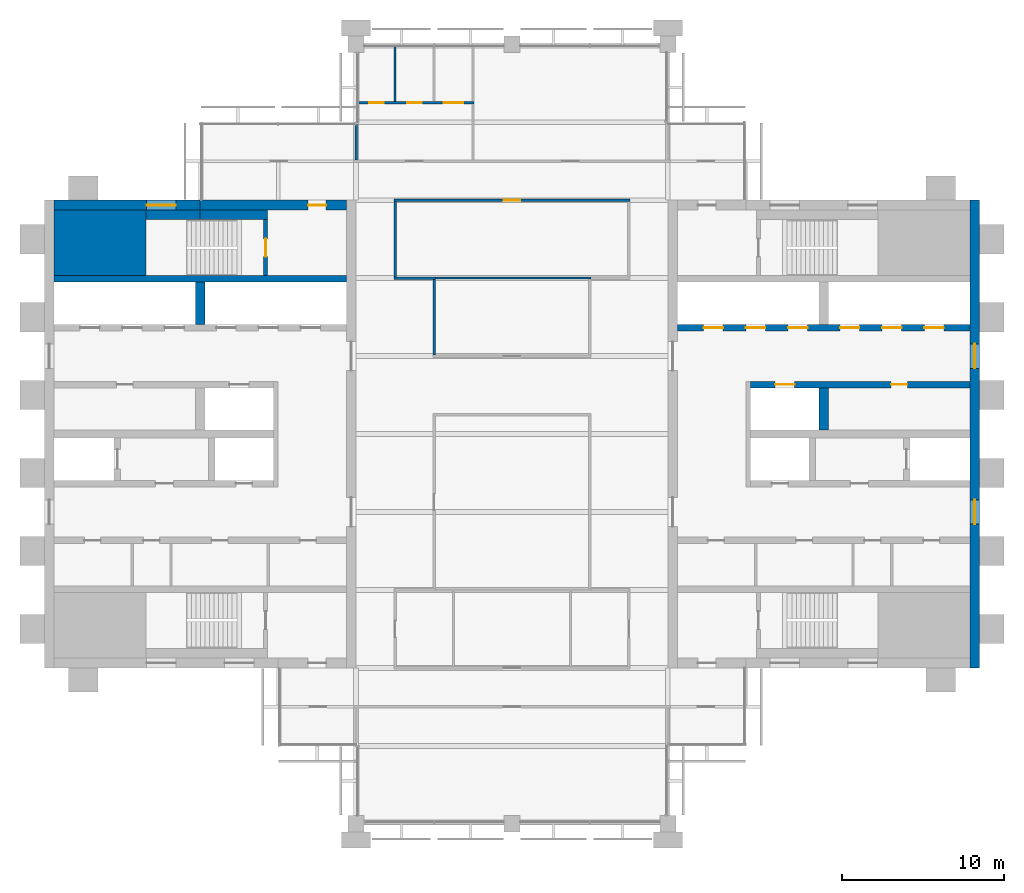
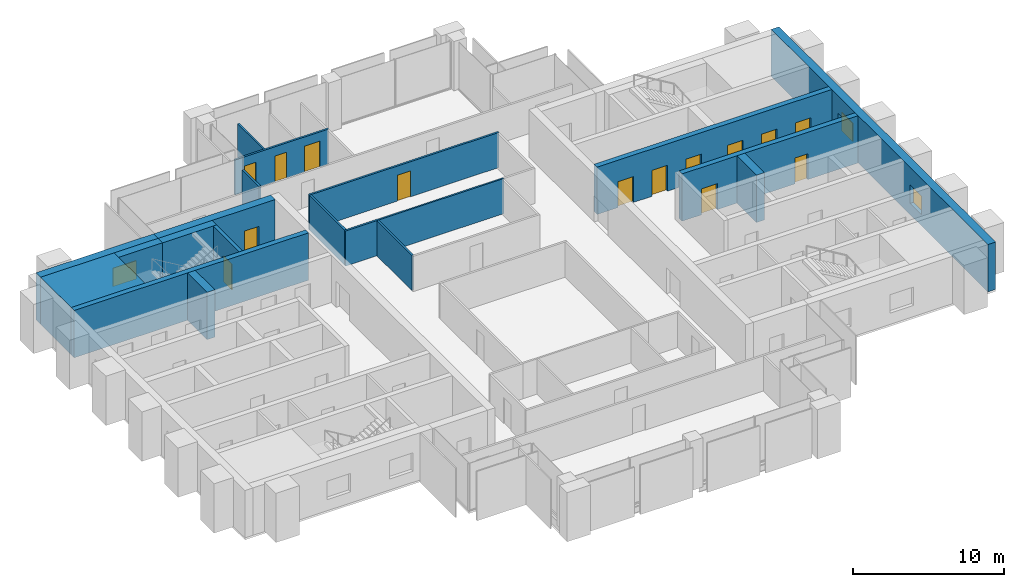
# One storey, part 10 of 12: 20 walls, 14 doors, 3 windows, 17 openings.
"""IFC4 building model written with IfcOpenShell, lengths in metres."""

from ifc_helpers import new_model, si_unit, direction, frame, frame_2d, origin, place, context, subcontext, project, spatial, rectangle, extrude, material, layer, layer_set, type_object, element, fill, save


model = new_model("IFC4")

# Units and contexts
model_context = context("Model", 3, precision=1e-05, world=origin(), true_north=direction((0.0, 1.0)))
body_context = subcontext(model_context, "Body", "Model", "MODEL_VIEW")
ifc_project = project(units=[si_unit("LENGTHUNIT", "METRE"), si_unit("AREAUNIT", "SQUARE_METRE"), si_unit("VOLUMEUNIT", "CUBIC_METRE"), si_unit("PLANEANGLEUNIT", "RADIAN"), si_unit("MASSUNIT", "GRAM", prefix="KILO")], contexts=[model_context])

# Site, building, storey
site_placement = place(None, origin())
site = spatial("IfcSite", under=ifc_project, at=site_placement, CompositionType="ELEMENT")
building_placement = place(site_placement, origin())
building = spatial("IfcBuilding", under=site, at=building_placement, Name="Baori Bourse Tower", CompositionType="ELEMENT")
storey_placement = place(building_placement, frame((0.0, 0.0, 286.300048828125)))
storey = spatial("IfcBuildingStorey", under=building, at=storey_placement, Name="L62", CompositionType="ELEMENT", Elevation=286.300048828125)

# Wall
ifc_material_1 = material(Name="Concrete f'c 40 MPa", Category="concrete")
wall_type_1 = type_object("IfcWallType", Name="Core corner block f'c 40", PredefinedType="SHEAR", material=ifc_material_1)
wall_1_placement = place(storey_placement, frame((0.60009765625, 35.77490234375, 0.0), z_axis=(0.0, 0.0, 1.0), x_axis=(1.0, 0.0, 0.0)))
element("IfcWall", 1, at=wall_1_placement, inside=storey, type_object=wall_type_1, Name="Core wall W23", PredefinedType="SHEAR", context=body_context, shape_type="SweptSolid", body=[
    extrude(rectangle(XDim=5.64990234375, YDim=4.050048828125, at=frame_2d((2.824951171875, 0.0))), origin(), (0.0, 0.0, 1.0), 3.83984375),
])

# Wall, opening, window
ifc_material_2 = material(Name="Concrete f'c 40 MPa", Category="concrete")
ifc_layer_1 = layer(ifc_material_2, 0.60009765625)
ifc_layer_set_1 = layer_set([ifc_layer_1], Name="Core wall 600 f'c 40")
wall_type_2 = type_object("IfcWallType", Name="Core wall 600 f'c 40", PredefinedType="SHEAR", material=ifc_layer_set_1)
wall_2_placement = place(storey_placement, frame((0.60009765625, 38.10009765625, 0.0), z_axis=(0.0, 0.0, 1.0), x_axis=(1.0, 0.0, 0.0)))
wall_2 = element("IfcWall", 2, at=wall_2_placement, inside=storey, type_object=wall_type_2, Name="Core wall W27", PredefinedType="SHEAR", context=body_context, shape_type="SweptSolid", body=[
    extrude(rectangle(XDim=9.0, YDim=0.60009765625, at=frame_2d((4.5, 0.0))), origin(), (0.0, 0.0, 1.0), 3.83984375),
])
opening_1_placement = place(wall_2_placement, frame((5.699951171875, 0.0, 0.89990234375)))
opening_1 = element("IfcOpeningElement", 3, at=opening_1_placement, cuts=wall_2, Name="Opening L62-KW105", PredefinedType="OPENING", context=body_context, shape_type="SweptSolid", body=[
    extrude(rectangle(XDim=1.800048828125, YDim=1.5, at=frame_2d((0.89990234375, 0.75))), frame((0.0, 0.31005859375, 0.0), z_axis=(0.0, -1.0, 0.0), x_axis=(1.0, 0.0, 0.0)), (0.0, 0.0, 1.0), 0.6201171875),
])
ifc_material_3 = material(Name="Pale anodised aluminium", Category="aluminium")
window_type_1 = type_object("IfcWindowType", Name="Stair window 1800 x 1500", PartitioningType="SINGLE_PANEL", PredefinedType="WINDOW", material=ifc_material_3)
window_1_placement = place(opening_1_placement, origin())
window_1 = element("IfcWindow", 4, at=window_1_placement, inside=storey, type_object=window_type_1, Name="Stair window W L62 5", OverallHeight=1.5, OverallWidth=1.800048828125, PartitioningType="SINGLE_PANEL", PredefinedType="WINDOW", context=body_context, shape_type="SweptSolid", body=[
    extrude(rectangle(XDim=1.800048828125, YDim=1.5, at=frame_2d((0.89990234375, 0.75))), frame((0.0, 0.030029296875, 0.0), z_axis=(0.0, -1.0, 0.0), x_axis=(1.0, 0.0, 0.0)), (0.0, 0.0, 1.0), 0.06005859375),
])
fill(opening_1, window_1)

# Wall, opening, door
wall_3_placement = place(storey_placement, frame((9.60009765625, 38.10009765625, 0.0), z_axis=(0.0, 0.0, 1.0), x_axis=(1.0, 0.0, 0.0)))
wall_3 = element("IfcWall", 5, at=wall_3_placement, inside=storey, type_object=wall_type_2, Name="Core wall W28", PredefinedType="SHEAR", context=body_context, shape_type="SweptSolid", body=[
    extrude(rectangle(XDim=9.0, YDim=0.60009765625, at=frame_2d((4.5, 0.0))), origin(), (0.0, 0.0, 1.0), 3.83984375),
])
opening_2_placement = place(wall_3_placement, frame((6.64990234375, 0.0, 0.0)))
opening_2 = element("IfcOpeningElement", 6, at=opening_2_placement, cuts=wall_3, Name="Opening L62-D104", PredefinedType="OPENING", context=body_context, shape_type="SweptSolid", body=[
    extrude(rectangle(XDim=1.10009765625, YDim=2.10009765625, at=frame_2d((0.550048828125, 1.050048828125))), frame((0.0, 0.31005859375, 0.0), z_axis=(0.0, -1.0, 0.0), x_axis=(1.0, 0.0, 0.0)), (0.0, 0.0, 1.0), 0.6201171875),
])
ifc_material_4 = material(Name="Painted steel door", Category="steel")
door_type_1 = type_object("IfcDoorType", Name="Stair door 1100", OperationType="SINGLE_SWING_LEFT", PredefinedType="DOOR", material=ifc_material_4)
door_1_placement = place(opening_2_placement, origin())
door_1 = element("IfcDoor", 7, at=door_1_placement, inside=storey, type_object=door_type_1, Name="Stair vestibule door B W L62", OperationType="SINGLE_SWING_LEFT", OverallHeight=2.10009765625, OverallWidth=1.10009765625, PredefinedType="DOOR", context=body_context, shape_type="SweptSolid", body=[
    extrude(rectangle(XDim=1.10009765625, YDim=2.10009765625, at=frame_2d((0.550048828125, 1.050048828125))), frame((0.0, 0.02490234375, 0.0), z_axis=(0.0, -1.0, 0.0), x_axis=(1.0, 0.0, 0.0)), (0.0, 0.0, 1.0), 0.050048828125),
])
fill(opening_2, door_1)

# Wall, openings, windows
wall_4_placement = place(storey_placement, frame((57.300048828125, 38.39990234375, 0.0), z_axis=(0.0, 0.0, 1.0), x_axis=(0.0, -1.0, 0.0)))
wall_4 = element("IfcWall", 8, at=wall_4_placement, inside=storey, type_object=wall_type_2, Name="Core wall E01", PredefinedType="SHEAR", context=body_context, shape_type="SweptSolid", body=[
    extrude(rectangle(XDim=28.7998046875, YDim=0.60009765625, at=frame_2d((14.39990234375, 0.0))), origin(), (0.0, 0.0, 1.0), 3.83984375),
])
opening_3_placement = place(wall_4_placement, frame((18.449951171875, 0.0, 0.89990234375)))
opening_3 = element("IfcOpeningElement", 9, at=opening_3_placement, cuts=wall_4, Name="Opening L62-KW201", PredefinedType="OPENING", context=body_context, shape_type="SweptSolid", body=[
    extrude(rectangle(XDim=1.5, YDim=1.5, at=frame_2d((0.75, 0.75))), frame((0.0, 0.31005859375, 0.0), z_axis=(0.0, -1.0, 0.0), x_axis=(1.0, 0.0, 0.0)), (0.0, 0.0, 1.0), 0.6201171875),
])
opening_4_placement = place(wall_4_placement, frame((8.85009765625, 0.0, 0.89990234375)))
opening_4 = element("IfcOpeningElement", 10, at=opening_4_placement, cuts=wall_4, Name="Opening L62-KW202", PredefinedType="OPENING", context=body_context, shape_type="SweptSolid", body=[
    extrude(rectangle(XDim=1.5, YDim=1.5, at=frame_2d((0.75, 0.75))), frame((0.0, 0.31005859375, 0.0), z_axis=(0.0, -1.0, 0.0), x_axis=(1.0, 0.0, 0.0)), (0.0, 0.0, 1.0), 0.6201171875),
])
ifc_material_5 = material(Name="Pale anodised aluminium", Category="aluminium")
window_type_2 = type_object("IfcWindowType", Name="Lobby window 1500 x 1500", PartitioningType="SINGLE_PANEL", PredefinedType="WINDOW", material=ifc_material_5)
window_2_placement = place(opening_3_placement, origin())
window_2 = element("IfcWindow", 11, at=window_2_placement, inside=storey, type_object=window_type_2, Name="Outer wall window E L62 1", OverallHeight=1.5, OverallWidth=1.5, PartitioningType="SINGLE_PANEL", PredefinedType="WINDOW", context=body_context, shape_type="SweptSolid", body=[
    extrude(rectangle(XDim=1.5, YDim=1.5, at=frame_2d((0.75, 0.75))), frame((0.0, 0.030029296875, 0.0), z_axis=(0.0, -1.0, 0.0), x_axis=(1.0, 0.0, 0.0)), (0.0, 0.0, 1.0), 0.06005859375),
])
fill(opening_3, window_2)
window_3_placement = place(opening_4_placement, origin())
window_3 = element("IfcWindow", 12, at=window_3_placement, inside=storey, type_object=window_type_2, Name="Outer wall window E L62 2", OverallHeight=1.5, OverallWidth=1.5, PartitioningType="SINGLE_PANEL", PredefinedType="WINDOW", context=body_context, shape_type="SweptSolid", body=[
    extrude(rectangle(XDim=1.5, YDim=1.5, at=frame_2d((0.75, 0.75))), frame((0.0, 0.030029296875, 0.0), z_axis=(0.0, -1.0, 0.0), x_axis=(1.0, 0.0, 0.0)), (0.0, 0.0, 1.0), 0.06005859375),
])
fill(opening_4, window_3)

# Wall
ifc_material_6 = material(Name="Gypsum board partition")
ifc_layer_2 = layer(ifc_material_6, 0.14990234375)
ifc_layer_set_2 = layer_set([ifc_layer_2], Name="Corridor partition 150")
wall_type_3 = type_object("IfcWallType", Name="Corridor partition 150", PredefinedType="PARTITIONING", material=ifc_layer_set_2)
wall_5_placement = place(storey_placement, frame((21.52490234375, 33.60009765625, 0.0), z_axis=(0.0, 0.0, 1.0), x_axis=(1.0, 0.0, 0.0)))
element("IfcWall", 13, at=wall_5_placement, inside=storey, type_object=wall_type_3, Name="Partition", PredefinedType="PARTITIONING", context=body_context, shape_type="SweptSolid", body=[
    extrude(rectangle(XDim=2.550048828125, YDim=0.14990234375, at=frame_2d((1.27490234375, 0.0))), origin(), (0.0, 0.0, 1.0), 2.849365234375),
])

# Wall, opening, door
wall_6_placement = place(storey_placement, frame((21.52490234375, 38.39990234375, 0.0), z_axis=(0.0, 0.0, 1.0), x_axis=(1.0, 0.0, 0.0)))
wall_6 = element("IfcWall", 14, at=wall_6_placement, inside=storey, type_object=wall_type_3, Name="Partition", PredefinedType="PARTITIONING", context=body_context, shape_type="SweptSolid", body=[
    extrude(rectangle(XDim=14.550048828125, YDim=0.14990234375, at=frame_2d((7.27490234375, 0.0))), origin(), (0.0, 0.0, 1.0), 2.849365234375),
])
opening_5_placement = place(wall_6_placement, frame((6.77490234375, 0.0, 0.0)))
opening_5 = element("IfcOpeningElement", 15, at=opening_5_placement, cuts=wall_6, Name="Opening L62-D06", PredefinedType="OPENING", context=body_context, shape_type="SweptSolid", body=[
    extrude(rectangle(XDim=1.0, YDim=2.10009765625, at=frame_2d((0.5, 1.050048828125))), frame((0.0, 0.0849609375, 0.0), z_axis=(0.0, -1.0, 0.0), x_axis=(1.0, 0.0, 0.0)), (0.0, 0.0, 1.0), 0.169921875),
])
ifc_material_7 = material(Name="Timber door leaf", Category="wood")
door_type_2 = type_object("IfcDoorType", Name="Door 1000 x 2100", OperationType="SINGLE_SWING_LEFT", PredefinedType="DOOR", material=ifc_material_7)
door_2_placement = place(opening_5_placement, origin())
door_2 = element("IfcDoor", 16, at=door_2_placement, inside=storey, type_object=door_type_2, Name="Door", OperationType="SINGLE_SWING_LEFT", OverallHeight=2.10009765625, OverallWidth=1.0, PredefinedType="DOOR", context=body_context, shape_type="SweptSolid", body=[
    extrude(rectangle(XDim=1.0, YDim=2.10009765625, at=frame_2d((0.5, 1.050048828125))), frame((0.0, 0.02490234375, 0.0), z_axis=(0.0, -1.0, 0.0), x_axis=(1.0, 0.0, 0.0)), (0.0, 0.0, 1.0), 0.050048828125),
])
fill(opening_5, door_2)

# Wall, openings, doors
wall_7_placement = place(storey_placement, frame((19.300048828125, 44.39990234375, 0.0), z_axis=(0.0, 0.0, 1.0), x_axis=(1.0, 0.0, 0.0)))
wall_7 = element("IfcWall", 17, at=wall_7_placement, inside=storey, type_object=wall_type_3, Name="Partition", PredefinedType="PARTITIONING", context=body_context, shape_type="SweptSolid", body=[
    extrude(rectangle(XDim=7.175048828125, YDim=0.14990234375, at=frame_2d((3.58740234375, 0.0))), origin(), (0.0, 0.0, 1.0), 2.849365234375),
])
opening_6_placement = place(wall_7_placement, frame((0.699951171875, 0.0, 0.0)))
opening_6 = element("IfcOpeningElement", 18, at=opening_6_placement, cuts=wall_7, Name="Opening L62-D11", PredefinedType="OPENING", context=body_context, shape_type="SweptSolid", body=[
    extrude(rectangle(XDim=0.89990234375, YDim=2.10009765625, at=frame_2d((0.449951171875, 1.050048828125))), frame((0.0, 0.0849609375, 0.0), z_axis=(0.0, -1.0, 0.0), x_axis=(1.0, 0.0, 0.0)), (0.0, 0.0, 1.0), 0.169921875),
])
opening_7_placement = place(wall_7_placement, frame((3.050048828125, 0.0, 0.0)))
opening_7 = element("IfcOpeningElement", 19, at=opening_7_placement, cuts=wall_7, Name="Opening L62-D12", PredefinedType="OPENING", context=body_context, shape_type="SweptSolid", body=[
    extrude(rectangle(XDim=0.89990234375, YDim=2.10009765625, at=frame_2d((0.449951171875, 1.050048828125))), frame((0.0, 0.0849609375, 0.0), z_axis=(0.0, -1.0, 0.0), x_axis=(1.0, 0.0, 0.0)), (0.0, 0.0, 1.0), 0.169921875),
])
opening_8_placement = place(wall_7_placement, frame((5.300048828125, 0.0, 0.0)))
opening_8 = element("IfcOpeningElement", 20, at=opening_8_placement, cuts=wall_7, Name="Opening L62-D13", PredefinedType="OPENING", context=body_context, shape_type="SweptSolid", body=[
    extrude(rectangle(XDim=1.199951171875, YDim=2.10009765625, at=frame_2d((0.60009765625, 1.050048828125))), frame((0.0, 0.0849609375, 0.0), z_axis=(0.0, -1.0, 0.0), x_axis=(1.0, 0.0, 0.0)), (0.0, 0.0, 1.0), 0.169921875),
])
ifc_material_8 = material(Name="Timber door leaf", Category="wood")
door_type_3 = type_object("IfcDoorType", Name="Door 1200 x 2100", OperationType="SINGLE_SWING_LEFT", PredefinedType="DOOR", material=ifc_material_8)
door_3_placement = place(opening_8_placement, origin())
door_3 = element("IfcDoor", 21, at=door_3_placement, inside=storey, type_object=door_type_3, Name="Door", OperationType="SINGLE_SWING_LEFT", OverallHeight=2.10009765625, OverallWidth=1.199951171875, PredefinedType="DOOR", context=body_context, shape_type="SweptSolid", body=[
    extrude(rectangle(XDim=1.199951171875, YDim=2.10009765625, at=frame_2d((0.60009765625, 1.050048828125))), frame((0.0, 0.02490234375, 0.0), z_axis=(0.0, -1.0, 0.0), x_axis=(1.0, 0.0, 0.0)), (0.0, 0.0, 1.0), 0.050048828125),
])
fill(opening_8, door_3)
ifc_material_9 = material(Name="Timber door leaf", Category="wood")
door_type_4 = type_object("IfcDoorType", Name="Door 900 x 2100", OperationType="SINGLE_SWING_LEFT", PredefinedType="DOOR", material=ifc_material_9)
door_4_placement = place(opening_6_placement, origin())
door_4 = element("IfcDoor", 22, at=door_4_placement, inside=storey, type_object=door_type_4, Name="Door", OperationType="SINGLE_SWING_RIGHT", OverallHeight=2.10009765625, OverallWidth=0.89990234375, PredefinedType="DOOR", context=body_context, shape_type="SweptSolid", body=[
    extrude(rectangle(XDim=0.89990234375, YDim=2.10009765625, at=frame_2d((0.449951171875, 1.050048828125))), frame((0.0, 0.02490234375, 0.0), z_axis=(0.0, -1.0, 0.0), x_axis=(1.0, 0.0, 0.0)), (0.0, 0.0, 1.0), 0.050048828125),
])
fill(opening_6, door_4)
door_5_placement = place(opening_7_placement, origin())
door_5 = element("IfcDoor", 23, at=door_5_placement, inside=storey, type_object=door_type_4, Name="Door", OperationType="SINGLE_SWING_RIGHT", OverallHeight=2.10009765625, OverallWidth=0.89990234375, PredefinedType="DOOR", context=body_context, shape_type="SweptSolid", body=[
    extrude(rectangle(XDim=0.89990234375, YDim=2.10009765625, at=frame_2d((0.449951171875, 1.050048828125))), frame((0.0, 0.02490234375, 0.0), z_axis=(0.0, -1.0, 0.0), x_axis=(1.0, 0.0, 0.0)), (0.0, 0.0, 1.0), 0.050048828125),
])
fill(opening_7, door_5)

# Walls
wall_8_placement = place(storey_placement, frame((19.199951171875, 40.875, 0.0), z_axis=(0.0, 0.0, 1.0), x_axis=(0.0, 1.0, 0.0)))
element("IfcWall", 24, at=wall_8_placement, inside=storey, type_object=wall_type_3, Name="Partition", PredefinedType="PARTITIONING", context=body_context, shape_type="SweptSolid", body=[
    extrude(rectangle(XDim=2.22509765625, YDim=0.14990234375, at=frame_2d((1.112548828125, 0.0))), origin(), (0.0, 0.0, 1.0), 2.849365234375),
])
for number, where, z_axis, x_axis, name in (
    (25, (21.60009765625, 33.675048828125, 0.0), (0.0, 0.0, 1.0), (0.0, 1.0, 0.0), "Partition"),
    (26, (24.0, 28.875, 0.0), (0.0, 0.0, 1.0), (0.0, 1.0, 0.0), "Partition"),
):
    element("IfcWall", number, at=place(storey_placement, frame(where, z_axis=z_axis, x_axis=x_axis)), inside=storey, type_object=wall_type_3, Name=name, PredefinedType="PARTITIONING", context=body_context, shape_type="SweptSolid", body=[
        extrude(rectangle(XDim=4.64990234375, YDim=0.14990234375, at=frame_2d((2.324951171875, 0.0))), origin(), (0.0, 0.0, 1.0), 2.849365234375),
    ])
ifc_material_10 = material(Name="Gypsum board partition")
ifc_layer_3 = layer(ifc_material_10, 0.125)
ifc_layer_set_3 = layer_set([ifc_layer_3], Name="Partition 125")
wall_type_4 = type_object("IfcWallType", Name="Partition 125", PredefinedType="PARTITIONING", material=ifc_layer_set_3)
wall_9_placement = place(storey_placement, frame((24.074951171875, 33.60009765625, 0.0), z_axis=(0.0, 0.0, 1.0), x_axis=(1.0, 0.0, 0.0)))
element("IfcWall", 27, at=wall_9_placement, inside=storey, type_object=wall_type_4, Name="Partition", PredefinedType="PARTITIONING", context=body_context, shape_type="SweptSolid", body=[
    extrude(rectangle(XDim=9.60009765625, YDim=0.125, at=frame_2d((4.800048828125, 0.0))), origin(), (0.0, 0.0, 1.0), 2.849365234375),
])
wall_10_placement = place(storey_placement, frame((21.60009765625, 44.47509765625, 0.0), z_axis=(0.0, 0.0, 1.0), x_axis=(0.0, 1.0, 0.0)))
element("IfcWall", 28, at=wall_10_placement, inside=storey, type_object=wall_type_4, Name="Partition", PredefinedType="PARTITIONING", context=body_context, shape_type="SweptSolid", body=[
    extrude(rectangle(XDim=3.4248046875, YDim=0.125, at=frame_2d((1.71240234375, 0.0))), origin(), (0.0, 0.0, 1.0), 2.849365234375),
])

# Wall, opening, door
ifc_material_11 = material(Name="Concrete f'c 40 MPa", Category="concrete")
ifc_layer_4 = layer(ifc_material_11, 0.25)
ifc_layer_set_4 = layer_set([ifc_layer_4], Name="Shaft wall 250 f'c 40")
wall_type_5 = type_object("IfcWallType", Name="Shaft wall 250 f'c 40", PredefinedType="SHEAR", material=ifc_layer_set_4)
wall_11_placement = place(storey_placement, frame((13.625, 33.75, 0.0), z_axis=(0.0, 0.0, 1.0), x_axis=(0.0, 1.0, 0.0)))
wall_11 = element("IfcWall", 29, at=wall_11_placement, inside=storey, type_object=wall_type_5, Name="Core wall W24", PredefinedType="SHEAR", context=body_context, shape_type="SweptSolid", body=[
    extrude(rectangle(XDim=3.449951171875, YDim=0.25, at=frame_2d((1.72509765625, 0.0))), origin(), (0.0, 0.0, 1.0), 3.83984375),
])
opening_9_placement = place(wall_11_placement, frame((1.175048828125, 0.0, 0.0)))
opening_9 = element("IfcOpeningElement", 30, at=opening_9_placement, cuts=wall_11, Name="Opening L62-D103", PredefinedType="OPENING", context=body_context, shape_type="SweptSolid", body=[
    extrude(rectangle(XDim=1.10009765625, YDim=2.10009765625, at=frame_2d((0.550048828125, 1.050048828125))), frame((0.0, 0.135009765625, 0.0), z_axis=(0.0, -1.0, 0.0), x_axis=(1.0, 0.0, 0.0)), (0.0, 0.0, 1.0), 0.27001953125),
])
door_6_placement = place(opening_9_placement, origin())
door_6 = element("IfcDoor", 31, at=door_6_placement, inside=storey, type_object=door_type_1, Name="Stair door B W L62", OperationType="SINGLE_SWING_LEFT", OverallHeight=2.10009765625, OverallWidth=1.10009765625, PredefinedType="DOOR", context=body_context, shape_type="SweptSolid", body=[
    extrude(rectangle(XDim=1.10009765625, YDim=2.10009765625, at=frame_2d((0.550048828125, 1.050048828125))), frame((0.0, 0.02490234375, 0.0), z_axis=(0.0, -1.0, 0.0), x_axis=(1.0, 0.0, 0.0)), (0.0, 0.0, 1.0), 0.050048828125),
])
fill(opening_9, door_6)

# Wall
ifc_material_12 = material(Name="Concrete f'c 40 MPa", Category="concrete")
ifc_layer_5 = layer(ifc_material_12, 0.39990234375)
ifc_layer_set_5 = layer_set([ifc_layer_5], Name="Shaft wall 400 f'c 40")
wall_type_6 = type_object("IfcWallType", Name="Shaft wall 400 f'c 40", PredefinedType="SHEAR", material=ifc_layer_set_5)
wall_12_placement = place(storey_placement, frame((0.60009765625, 33.550048828125, 0.0), z_axis=(0.0, 0.0, 1.0), x_axis=(1.0, 0.0, 0.0)))
element("IfcWall", 32, at=wall_12_placement, inside=storey, type_object=wall_type_6, Name="Core wall W22", PredefinedType="SHEAR", context=body_context, shape_type="SweptSolid", body=[
    extrude(rectangle(XDim=18.0, YDim=0.39990234375, at=frame_2d((9.0, 0.0))), origin(), (0.0, 0.0, 1.0), 3.83984375),
])

# Wall, openings, doors
wall_13_placement = place(storey_placement, frame((43.5, 27.050048828125, 0.0), z_axis=(0.0, 0.0, 1.0), x_axis=(1.0, 0.0, 0.0)))
wall_13 = element("IfcWall", 33, at=wall_13_placement, inside=storey, type_object=wall_type_6, Name="Core wall E19", PredefinedType="SHEAR", context=body_context, shape_type="SweptSolid", body=[
    extrude(rectangle(XDim=13.5, YDim=0.39990234375, at=frame_2d((6.75, 0.0))), origin(), (0.0, 0.0, 1.0), 3.83984375),
])
opening_10_placement = place(wall_13_placement, frame((8.64990234375, 0.0, 0.0)))
opening_10 = element("IfcOpeningElement", 34, at=opening_10_placement, cuts=wall_13, Name="Opening L62-D213", PredefinedType="OPENING", context=body_context, shape_type="SweptSolid", body=[
    extrude(rectangle(XDim=1.0, YDim=2.10009765625, at=frame_2d((0.5, 1.050048828125))), frame((0.0, 0.2099609375, 0.0), z_axis=(0.0, -1.0, 0.0), x_axis=(1.0, 0.0, 0.0)), (0.0, 0.0, 1.0), 0.419921875),
])
opening_11_placement = place(wall_13_placement, frame((1.5, 0.0, 0.0)))
opening_11 = element("IfcOpeningElement", 35, at=opening_11_placement, cuts=wall_13, Name="Opening L62-D220", PredefinedType="OPENING", context=body_context, shape_type="SweptSolid", body=[
    extrude(rectangle(XDim=1.199951171875, YDim=2.10009765625, at=frame_2d((0.60009765625, 1.050048828125))), frame((0.0, 0.2099609375, 0.0), z_axis=(0.0, -1.0, 0.0), x_axis=(1.0, 0.0, 0.0)), (0.0, 0.0, 1.0), 0.419921875),
])
ifc_material_13 = material(Name="Painted steel door", Category="steel")
door_type_5 = type_object("IfcDoorType", Name="Core door 1000", OperationType="SINGLE_SWING_LEFT", PredefinedType="DOOR", material=ifc_material_13)
door_7_placement = place(opening_10_placement, origin())
door_7 = element("IfcDoor", 36, at=door_7_placement, inside=storey, type_object=door_type_5, Name="Recycling Room door E L62", OperationType="SINGLE_SWING_LEFT", OverallHeight=2.10009765625, OverallWidth=1.0, PredefinedType="DOOR", context=body_context, shape_type="SweptSolid", body=[
    extrude(rectangle(XDim=1.0, YDim=2.10009765625, at=frame_2d((0.5, 1.050048828125))), frame((0.0, 0.02490234375, 0.0), z_axis=(0.0, -1.0, 0.0), x_axis=(1.0, 0.0, 0.0)), (0.0, 0.0, 1.0), 0.050048828125),
])
fill(opening_10, door_7)
ifc_material_14 = material(Name="Stainless steel door", Category="steel")
door_type_6 = type_object("IfcDoorType", Name="Lift landing door", OperationType="DOUBLE_DOOR_SLIDING", PredefinedType="DOOR", material=ifc_material_14)
door_8_placement = place(opening_11_placement, origin())
door_8 = element("IfcDoor", 37, at=door_8_placement, inside=storey, type_object=door_type_6, Name="Lift landing door SV1 E L62", OperationType="DOUBLE_DOOR_SLIDING", OverallHeight=2.10009765625, OverallWidth=1.199951171875, PredefinedType="DOOR", context=body_context, shape_type="SweptSolid", body=[
    extrude(rectangle(XDim=1.199951171875, YDim=2.10009765625, at=frame_2d((0.60009765625, 1.050048828125))), frame((0.0, 0.02490234375, 0.0), z_axis=(0.0, -1.0, 0.0), x_axis=(1.0, 0.0, 0.0)), (0.0, 0.0, 1.0), 0.050048828125),
])
fill(opening_11, door_8)

wall_14_placement = place(storey_placement, frame((39.0, 30.550048828125, 0.0), z_axis=(0.0, 0.0, 1.0), x_axis=(1.0, 0.0, 0.0)))
wall_14 = element("IfcWall", 38, at=wall_14_placement, inside=storey, type_object=wall_type_6, Name="Core wall E20", PredefinedType="SHEAR", context=body_context, shape_type="SweptSolid", body=[
    extrude(rectangle(XDim=18.0, YDim=0.39990234375, at=frame_2d((9.0, 0.0))), origin(), (0.0, 0.0, 1.0), 3.83984375),
])
opening_12_placement = place(wall_14_placement, frame((15.199951171875, 0.0, 0.0)))
opening_12 = element("IfcOpeningElement", 39, at=opening_12_placement, cuts=wall_14, Name="Opening L62-D214", PredefinedType="OPENING", context=body_context, shape_type="SweptSolid", body=[
    extrude(rectangle(XDim=1.199951171875, YDim=2.10009765625, at=frame_2d((0.60009765625, 1.050048828125))), frame((0.0, 0.2099609375, 0.0), z_axis=(0.0, -1.0, 0.0), x_axis=(1.0, 0.0, 0.0)), (0.0, 0.0, 1.0), 0.419921875),
])
opening_13_placement = place(wall_14_placement, frame((12.60009765625, 0.0, 0.0)))
opening_13 = element("IfcOpeningElement", 40, at=opening_13_placement, cuts=wall_14, Name="Opening L62-D215", PredefinedType="OPENING", context=body_context, shape_type="SweptSolid", body=[
    extrude(rectangle(XDim=1.199951171875, YDim=2.10009765625, at=frame_2d((0.60009765625, 1.050048828125))), frame((0.0, 0.2099609375, 0.0), z_axis=(0.0, -1.0, 0.0), x_axis=(1.0, 0.0, 0.0)), (0.0, 0.0, 1.0), 0.419921875),
])
opening_14_placement = place(wall_14_placement, frame((10.0, 0.0, 0.0)))
opening_14 = element("IfcOpeningElement", 41, at=opening_14_placement, cuts=wall_14, Name="Opening L62-D216", PredefinedType="OPENING", context=body_context, shape_type="SweptSolid", body=[
    extrude(rectangle(XDim=1.199951171875, YDim=2.10009765625, at=frame_2d((0.60009765625, 1.050048828125))), frame((0.0, 0.2099609375, 0.0), z_axis=(0.0, -1.0, 0.0), x_axis=(1.0, 0.0, 0.0)), (0.0, 0.0, 1.0), 0.419921875),
])
opening_15_placement = place(wall_14_placement, frame((6.800048828125, 0.0, 0.0)))
opening_15 = element("IfcOpeningElement", 42, at=opening_15_placement, cuts=wall_14, Name="Opening L62-D217", PredefinedType="OPENING", context=body_context, shape_type="SweptSolid", body=[
    extrude(rectangle(XDim=1.199951171875, YDim=2.10009765625, at=frame_2d((0.60009765625, 1.050048828125))), frame((0.0, 0.2099609375, 0.0), z_axis=(0.0, -1.0, 0.0), x_axis=(1.0, 0.0, 0.0)), (0.0, 0.0, 1.0), 0.419921875),
])
opening_16_placement = place(wall_14_placement, frame((4.199951171875, 0.0, 0.0)))
opening_16 = element("IfcOpeningElement", 43, at=opening_16_placement, cuts=wall_14, Name="Opening L62-D218", PredefinedType="OPENING", context=body_context, shape_type="SweptSolid", body=[
    extrude(rectangle(XDim=1.199951171875, YDim=2.10009765625, at=frame_2d((0.60009765625, 1.050048828125))), frame((0.0, 0.2099609375, 0.0), z_axis=(0.0, -1.0, 0.0), x_axis=(1.0, 0.0, 0.0)), (0.0, 0.0, 1.0), 0.419921875),
])
opening_17_placement = place(wall_14_placement, frame((1.60009765625, 0.0, 0.0)))
opening_17 = element("IfcOpeningElement", 44, at=opening_17_placement, cuts=wall_14, Name="Opening L62-D219", PredefinedType="OPENING", context=body_context, shape_type="SweptSolid", body=[
    extrude(rectangle(XDim=1.199951171875, YDim=2.10009765625, at=frame_2d((0.60009765625, 1.050048828125))), frame((0.0, 0.2099609375, 0.0), z_axis=(0.0, -1.0, 0.0), x_axis=(1.0, 0.0, 0.0)), (0.0, 0.0, 1.0), 0.419921875),
])
door_9_placement = place(opening_12_placement, origin())
door_9 = element("IfcDoor", 45, at=door_9_placement, inside=storey, type_object=door_type_6, Name="Lift landing door HR1 E L62", OperationType="DOUBLE_DOOR_SLIDING", OverallHeight=2.10009765625, OverallWidth=1.199951171875, PredefinedType="DOOR", context=body_context, shape_type="SweptSolid", body=[
    extrude(rectangle(XDim=1.199951171875, YDim=2.10009765625, at=frame_2d((0.60009765625, 1.050048828125))), frame((0.0, 0.02490234375, 0.0), z_axis=(0.0, -1.0, 0.0), x_axis=(1.0, 0.0, 0.0)), (0.0, 0.0, 1.0), 0.050048828125),
])
fill(opening_12, door_9)
door_10_placement = place(opening_13_placement, origin())
door_10 = element("IfcDoor", 46, at=door_10_placement, inside=storey, type_object=door_type_6, Name="Lift landing door HR2 E L62", OperationType="DOUBLE_DOOR_SLIDING", OverallHeight=2.10009765625, OverallWidth=1.199951171875, PredefinedType="DOOR", context=body_context, shape_type="SweptSolid", body=[
    extrude(rectangle(XDim=1.199951171875, YDim=2.10009765625, at=frame_2d((0.60009765625, 1.050048828125))), frame((0.0, 0.02490234375, 0.0), z_axis=(0.0, -1.0, 0.0), x_axis=(1.0, 0.0, 0.0)), (0.0, 0.0, 1.0), 0.050048828125),
])
fill(opening_13, door_10)
door_11_placement = place(opening_14_placement, origin())
door_11 = element("IfcDoor", 47, at=door_11_placement, inside=storey, type_object=door_type_6, Name="Lift landing door HR3 E L62", OperationType="DOUBLE_DOOR_SLIDING", OverallHeight=2.10009765625, OverallWidth=1.199951171875, PredefinedType="DOOR", context=body_context, shape_type="SweptSolid", body=[
    extrude(rectangle(XDim=1.199951171875, YDim=2.10009765625, at=frame_2d((0.60009765625, 1.050048828125))), frame((0.0, 0.02490234375, 0.0), z_axis=(0.0, -1.0, 0.0), x_axis=(1.0, 0.0, 0.0)), (0.0, 0.0, 1.0), 0.050048828125),
])
fill(opening_14, door_11)
door_12_placement = place(opening_15_placement, origin())
door_12 = element("IfcDoor", 48, at=door_12_placement, inside=storey, type_object=door_type_6, Name="Lift landing door HR4 E L62", OperationType="DOUBLE_DOOR_SLIDING", OverallHeight=2.10009765625, OverallWidth=1.199951171875, PredefinedType="DOOR", context=body_context, shape_type="SweptSolid", body=[
    extrude(rectangle(XDim=1.199951171875, YDim=2.10009765625, at=frame_2d((0.60009765625, 1.050048828125))), frame((0.0, 0.02490234375, 0.0), z_axis=(0.0, -1.0, 0.0), x_axis=(1.0, 0.0, 0.0)), (0.0, 0.0, 1.0), 0.050048828125),
])
fill(opening_15, door_12)
door_13_placement = place(opening_16_placement, origin())
door_13 = element("IfcDoor", 49, at=door_13_placement, inside=storey, type_object=door_type_6, Name="Lift landing door HR5 E L62", OperationType="DOUBLE_DOOR_SLIDING", OverallHeight=2.10009765625, OverallWidth=1.199951171875, PredefinedType="DOOR", context=body_context, shape_type="SweptSolid", body=[
    extrude(rectangle(XDim=1.199951171875, YDim=2.10009765625, at=frame_2d((0.60009765625, 1.050048828125))), frame((0.0, 0.02490234375, 0.0), z_axis=(0.0, -1.0, 0.0), x_axis=(1.0, 0.0, 0.0)), (0.0, 0.0, 1.0), 0.050048828125),
])
fill(opening_16, door_13)
door_14_placement = place(opening_17_placement, origin())
door_14 = element("IfcDoor", 50, at=door_14_placement, inside=storey, type_object=door_type_6, Name="Lift landing door HR6 E L62", OperationType="DOUBLE_DOOR_SLIDING", OverallHeight=2.10009765625, OverallWidth=1.199951171875, PredefinedType="DOOR", context=body_context, shape_type="SweptSolid", body=[
    extrude(rectangle(XDim=1.199951171875, YDim=2.10009765625, at=frame_2d((0.60009765625, 1.050048828125))), frame((0.0, 0.02490234375, 0.0), z_axis=(0.0, -1.0, 0.0), x_axis=(1.0, 0.0, 0.0)), (0.0, 0.0, 1.0), 0.050048828125),
])
fill(opening_17, door_14)

# Walls
ifc_material_15 = material(Name="Concrete f'c 40 MPa", Category="concrete")
ifc_layer_6 = layer(ifc_material_15, 0.60009765625)
ifc_layer_set_6 = layer_set([ifc_layer_6], Name="Shaft wall 600 f'c 40")
wall_type_7 = type_object("IfcWallType", Name="Shaft wall 600 f'c 40", PredefinedType="SHEAR", material=ifc_layer_set_6)
wall_15_placement = place(storey_placement, frame((9.60009765625, 30.75, 0.0), z_axis=(0.0, 0.0, 1.0), x_axis=(0.0, 1.0, 0.0)))
element("IfcWall", 51, at=wall_15_placement, inside=storey, type_object=wall_type_7, Name="Core wall W21", PredefinedType="SHEAR", context=body_context, shape_type="SweptSolid", body=[
    extrude(rectangle(XDim=2.60009765625, YDim=0.60009765625, at=frame_2d((1.300048828125, 0.0))), origin(), (0.0, 0.0, 1.0), 3.83984375),
])
wall_16_placement = place(storey_placement, frame((6.25, 37.5, 0.0), z_axis=(0.0, 0.0, 1.0), x_axis=(1.0, 0.0, 0.0)))
element("IfcWall", 52, at=wall_16_placement, inside=storey, type_object=wall_type_7, Name="Core wall W25", PredefinedType="SHEAR", context=body_context, shape_type="SweptSolid", body=[
    extrude(rectangle(XDim=3.35009765625, YDim=0.60009765625, at=frame_2d((1.675048828125, 0.0))), origin(), (0.0, 0.0, 1.0), 3.83984375),
])
wall_17_placement = place(storey_placement, frame((9.60009765625, 37.5, 0.0), z_axis=(0.0, 0.0, 1.0), x_axis=(1.0, 0.0, 0.0)))
element("IfcWall", 53, at=wall_17_placement, inside=storey, type_object=wall_type_7, Name="Core wall W26", PredefinedType="SHEAR", context=body_context, shape_type="SweptSolid", body=[
    extrude(rectangle(XDim=4.14990234375, YDim=0.60009765625, at=frame_2d((2.074951171875, 0.0))), origin(), (0.0, 0.0, 1.0), 3.83984375),
])
wall_18_placement = place(storey_placement, frame((48.0, 24.25, 0.0), z_axis=(0.0, 0.0, 1.0), x_axis=(0.0, 1.0, 0.0)))
element("IfcWall", 54, at=wall_18_placement, inside=storey, type_object=wall_type_7, Name="Core wall E18", PredefinedType="SHEAR", context=body_context, shape_type="SweptSolid", body=[
    extrude(rectangle(XDim=2.60009765625, YDim=0.60009765625, at=frame_2d((1.300048828125, 0.0))), origin(), (0.0, 0.0, 1.0), 3.83984375),
])

save(model, "model.ifc")
